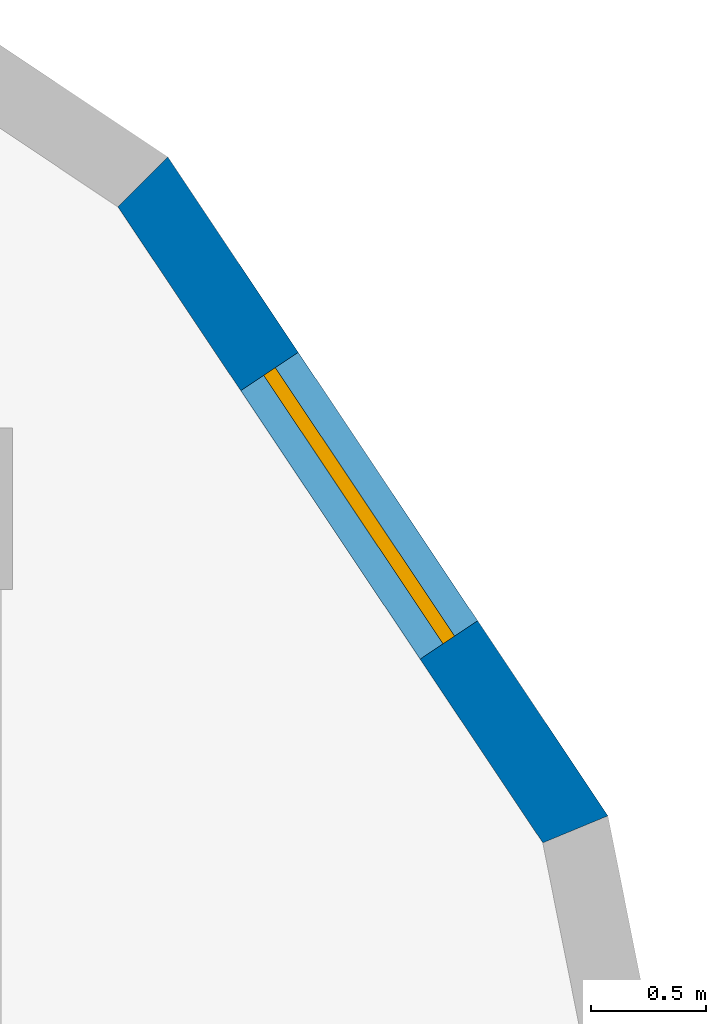
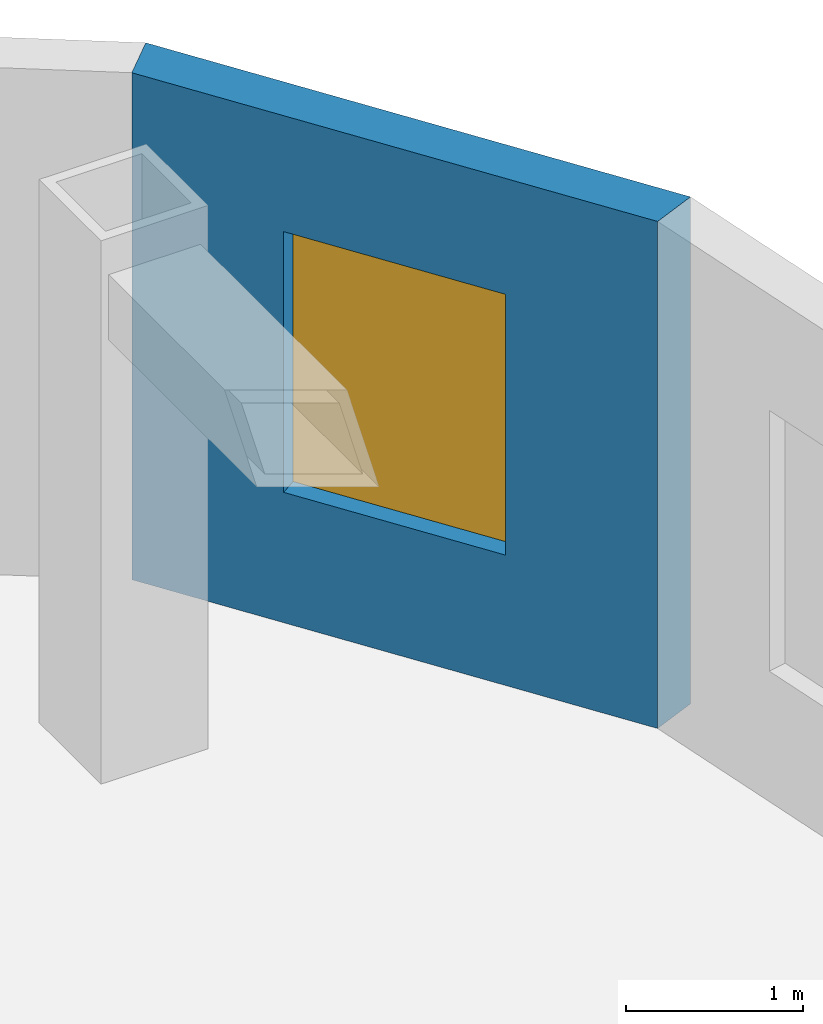
# One storey, part 22 of 29: 1 wall, 1 window, 1 opening.
"""IFC4 building model written with IfcOpenShell, lengths in metres."""

from ifc_helpers import new_model, si_unit, direction, frame, frame_2d, origin, place, context, subcontext, project, spatial, polyline, rectangle, outline, extrude, material, layer, layer_set, type_object, element, fill, save


model = new_model("IFC4")

# Units and contexts
model_context = context("Model", 3, precision=1e-05, world=origin(), true_north=direction((0.0, 1.0)))
body_context = subcontext(model_context, "Body", "Model", "MODEL_VIEW")
ifc_project = project(units=[si_unit("LENGTHUNIT", "METRE"), si_unit("AREAUNIT", "SQUARE_METRE"), si_unit("VOLUMEUNIT", "CUBIC_METRE"), si_unit("PLANEANGLEUNIT", "RADIAN"), si_unit("MASSUNIT", "GRAM", prefix="KILO")], contexts=[model_context])

# Site, building, storey
site_placement = place(None, origin())
site = spatial("IfcSite", under=ifc_project, at=site_placement, CompositionType="ELEMENT")
building_placement = place(site_placement, origin())
building = spatial("IfcBuilding", under=site, at=building_placement, Name="Orbita Commons", CompositionType="ELEMENT")
storey_placement = place(building_placement, frame((0.0, 0.0, 148.60009765625)))
storey = spatial("IfcBuildingStorey", under=building, at=storey_placement, Name="L36", CompositionType="ELEMENT", Elevation=148.60009765625)

# Wall, opening, window
ifc_material_1 = material(Name="Precast concrete C40/50, white board-marked finish", Category="concrete")
ifc_layer = layer(ifc_material_1, 0.300048828125)
ifc_layer_set = layer_set([ifc_layer], Name="Precast concrete C40/50, white board-marked finish")
wall_type = type_object("IfcWallType", Name="Precast concrete end shield 300", PredefinedType="SOLIDWALL", material=ifc_layer_set)
wall_placement = place(storey_placement, frame((74.79150390625, 48.710205078125, 0.0), z_axis=(0.0, 0.0, 1.0), x_axis=(-0.555534554399, 0.831493450887, 0.0)))
wall = element("IfcWall", 1, at=wall_placement, inside=storey, type_object=wall_type, Name="End shield NE chord 2 L36", PredefinedType="SOLIDWALL", context=body_context, shape_type="SweptSolid", body=[
    extrude(outline(polyline([(-0.02978515625, -0.14990234375), (3.405029296875, -0.14990234375), (3.345458984375, 0.14990234375), (0.02978515625, 0.14990234375), (-0.02978515625, -0.14990234375)])), origin(), (0.0, 0.0, 1.0), 3.5),
])
opening_placement = place(wall_placement, frame((0.987548828125, 0.0, 0.89990234375)))
opening = element("IfcOpeningElement", 2, at=opening_placement, cuts=wall, Name="Opening W02", PredefinedType="OPENING", context=body_context, shape_type="SweptSolid", body=[
    extrude(rectangle(XDim=1.39990234375, YDim=1.800048828125, at=frame_2d((0.699951171875, 0.89990234375))), frame((0.0, 0.159912109375, 0.0), z_axis=(0.0, -1.0, 0.0), x_axis=(1.0, 0.0, 0.0)), (0.0, 0.0, 1.0), 0.320068359375),
])
ifc_material_2 = material(Name="Aluminium frame, clear double glazing", Category="aluminium")
window_type = type_object("IfcWindowType", Name="Deep-set window 1400x1800", PartitioningType="SINGLE_PANEL", PredefinedType="WINDOW", material=ifc_material_2)
window_placement = place(opening_placement, origin())
window = element("IfcWindow", 3, at=window_placement, inside=storey, type_object=window_type, Name="Window L36-NE1", OverallHeight=1.800048828125, OverallWidth=1.39990234375, PartitioningType="SINGLE_PANEL", PredefinedType="WINDOW", context=body_context, shape_type="SweptSolid", body=[
    extrude(rectangle(XDim=1.39990234375, YDim=1.800048828125, at=frame_2d((0.699951171875, 0.89990234375))), frame((0.0, 0.030029296875, 0.0), z_axis=(0.0, -1.0, 0.0), x_axis=(1.0, 0.0, 0.0)), (0.0, 0.0, 1.0), 0.06005859375),
])
fill(opening, window)

save(model, "model.ifc")
